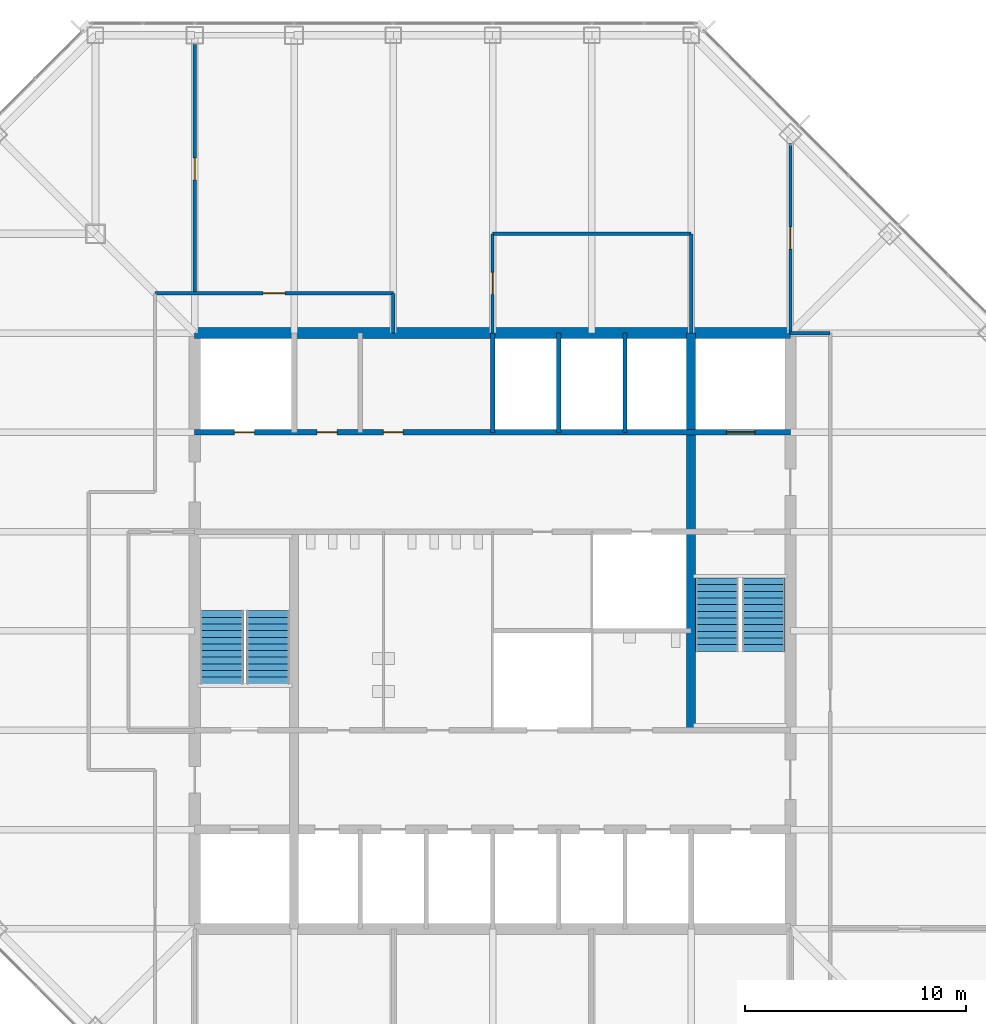
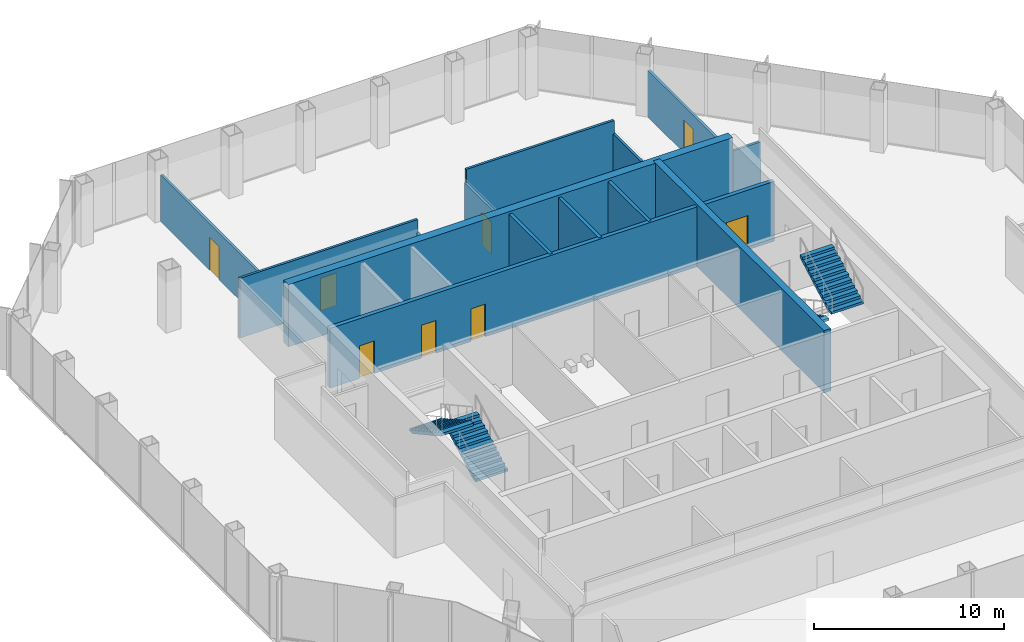
# One storey, part 10 of 12: 14 walls, 8 doors, 4 stair flights, 8 openings, 2 elements without a shape of their own.
"""IFC4 building model written with IfcOpenShell, lengths in metres."""

from ifc_helpers import new_model, si_unit, direction, frame, frame_2d, origin, place, context, subcontext, project, spatial, polyline, rectangle, outline, extrude, material, layer, layer_set, type_object, element, fill, aggregate, save


model = new_model("IFC4")

# Units and contexts
model_context = context("Model", 3, precision=1e-05, world=origin(), true_north=direction((0.0, 1.0)))
body_context = subcontext(model_context, "Body", "Model", "MODEL_VIEW")
ifc_project = project(units=[si_unit("LENGTHUNIT", "METRE"), si_unit("AREAUNIT", "SQUARE_METRE"), si_unit("VOLUMEUNIT", "CUBIC_METRE"), si_unit("PLANEANGLEUNIT", "RADIAN"), si_unit("MASSUNIT", "GRAM", prefix="KILO")], contexts=[model_context])

# Site, building, storey
site_placement = place(None, origin())
site = spatial("IfcSite", under=ifc_project, at=site_placement, CompositionType="ELEMENT")
building_placement = place(site_placement, origin())
building = spatial("IfcBuilding", under=site, at=building_placement, Name="Corais Broadcast Tower", CompositionType="ELEMENT")
storey_placement = place(building_placement, frame((0.0, 0.0, 135.60009765625)))
storey = spatial("IfcBuildingStorey", under=building, at=storey_placement, Name="L30", CompositionType="ELEMENT", Elevation=135.60009765625)

# Walls
ifc_material_1 = material(Name="Concrete C50/60", Category="concrete")
ifc_layer_1 = layer(ifc_material_1, 0.39990234375)
ifc_layer_set_1 = layer_set([ifc_layer_1], Name="Concrete C50/60")
wall_type_1 = type_object("IfcWallType", Name="Core wall 400", PredefinedType="SHEAR", material=ifc_layer_set_1)
wall_1_placement = place(storey_placement, frame((36.0, 22.5, 0.0), z_axis=(0.0, 0.0, 1.0), x_axis=(0.0, 1.0, 0.0)))
element("IfcWall", 1, at=wall_1_placement, inside=storey, type_object=wall_type_1, Name="CR400 core wall X36B L30", PredefinedType="SHEAR", context=body_context, shape_type="SweptSolid", body=[
    extrude(rectangle(XDim=18.0, YDim=0.39990234375, at=frame_2d((9.0, 0.0))), origin(), (0.0, 0.0, 1.0), 4.0),
])
ifc_material_2 = material(Name="Concrete C50/60", Category="concrete")
ifc_layer_2 = layer(ifc_material_2, 0.5)
ifc_layer_set_2 = layer_set([ifc_layer_2], Name="Concrete C50/60")
wall_type_2 = type_object("IfcWallType", Name="Core wall 500", PredefinedType="SHEAR", material=ifc_layer_set_2)
wall_2_placement = place(storey_placement, frame((40.5, 40.5, 0.0), z_axis=(0.0, 0.0, 1.0), x_axis=(-1.0, 0.0, 0.0)))
element("IfcWall", 2, at=wall_2_placement, inside=storey, type_object=wall_type_2, Name="CR500 core wall N L30", PredefinedType="SHEAR", context=body_context, shape_type="SweptSolid", body=[
    extrude(rectangle(XDim=27.0, YDim=0.5, at=frame_2d((13.5, 0.0))), origin(), (0.0, 0.0, 1.0), 4.0),
])

# Wall, openings, doors
ifc_material_3 = material(Name="Concrete blockwork class A, grouted, four-hour", Category="masonry")
ifc_layer_3 = layer(ifc_material_3, 0.25)
ifc_layer_set_3 = layer_set([ifc_layer_3], Name="Concrete blockwork class A, grouted, four-hour")
wall_type_3 = type_object("IfcWallType", Name="Emergency lift shaft wall 250", PredefinedType="SOLIDWALL", material=ifc_layer_set_3)
wall_3_placement = place(storey_placement, frame((13.5, 36.0, 0.0), z_axis=(0.0, 0.0, 1.0), x_axis=(1.0, 0.0, 0.0)))
wall_3 = element("IfcWall", 3, at=wall_3_placement, inside=storey, type_object=wall_type_3, Name="LS2 core lobby wall Y36 L30", PredefinedType="SOLIDWALL", context=body_context, shape_type="SweptSolid", body=[
    extrude(rectangle(XDim=27.0, YDim=0.25, at=frame_2d((13.5, 0.0))), origin(), (0.0, 0.0, 1.0), 3.83984375),
])
opening_1_placement = place(wall_3_placement, frame((1.800048828125, 0.0, 0.0)))
opening_1 = element("IfcOpeningElement", 4, at=opening_1_placement, cuts=wall_3, Name="Opening RD1", PredefinedType="OPENING", context=body_context, shape_type="SweptSolid", body=[
    extrude(rectangle(XDim=0.89990234375, YDim=2.10009765625, at=frame_2d((0.449951171875, 1.050048828125))), frame((0.0, 0.135009765625, 0.0), z_axis=(0.0, -1.0, 0.0), x_axis=(1.0, 0.0, 0.0)), (0.0, 0.0, 1.0), 0.27001953125),
])
opening_2_placement = place(wall_3_placement, frame((5.550048828125, 0.0, 0.0)))
opening_2 = element("IfcOpeningElement", 5, at=opening_2_placement, cuts=wall_3, Name="Opening RD1", PredefinedType="OPENING", context=body_context, shape_type="SweptSolid", body=[
    extrude(rectangle(XDim=0.89990234375, YDim=2.10009765625, at=frame_2d((0.449951171875, 1.050048828125))), frame((0.0, 0.135009765625, 0.0), z_axis=(0.0, -1.0, 0.0), x_axis=(1.0, 0.0, 0.0)), (0.0, 0.0, 1.0), 0.27001953125),
])
opening_3_placement = place(wall_3_placement, frame((8.550048828125, 0.0, 0.0)))
opening_3 = element("IfcOpeningElement", 6, at=opening_3_placement, cuts=wall_3, Name="Opening RD1", PredefinedType="OPENING", context=body_context, shape_type="SweptSolid", body=[
    extrude(rectangle(XDim=0.89990234375, YDim=2.10009765625, at=frame_2d((0.449951171875, 1.050048828125))), frame((0.0, 0.135009765625, 0.0), z_axis=(0.0, -1.0, 0.0), x_axis=(1.0, 0.0, 0.0)), (0.0, 0.0, 1.0), 0.27001953125),
])
opening_4_placement = place(wall_3_placement, frame((24.10009765625, 0.0, 0.0)))
opening_4 = element("IfcOpeningElement", 7, at=opening_4_placement, cuts=wall_3, Name="Opening LD2", PredefinedType="OPENING", context=body_context, shape_type="SweptSolid", body=[
    extrude(rectangle(XDim=1.300048828125, YDim=2.199951171875, at=frame_2d((0.64990234375, 1.10009765625))), frame((0.0, 0.135009765625, 0.0), z_axis=(0.0, -1.0, 0.0), x_axis=(1.0, 0.0, 0.0)), (0.0, 0.0, 1.0), 0.27001953125),
])
ifc_material_4 = material(Name="Stainless steel lift door", Category="steel")
door_type_1 = type_object("IfcDoorType", Name="Lift landing door 1300x2200", OperationType="SLIDING_TO_LEFT", PredefinedType="DOOR", material=ifc_material_4)
door_1_placement = place(opening_4_placement, origin())
door_1 = element("IfcDoor", 8, at=door_1_placement, inside=storey, type_object=door_type_1, Name="LD2 FL2 landing door L30", OperationType="SLIDING_TO_LEFT", OverallHeight=2.199951171875, OverallWidth=1.300048828125, PredefinedType="DOOR", context=body_context, shape_type="SweptSolid", body=[
    extrude(rectangle(XDim=1.300048828125, YDim=2.199951171875, at=frame_2d((0.64990234375, 1.10009765625))), frame((0.0, 0.02490234375, 0.0), z_axis=(0.0, -1.0, 0.0), x_axis=(1.0, 0.0, 0.0)), (0.0, 0.0, 1.0), 0.050048828125),
])
fill(opening_4, door_1)
ifc_material_5 = material(Name="Steel fire door", Category="steel")
door_type_2 = type_object("IfcDoorType", Name="Riser door 900x2100", OperationType="SINGLE_SWING_LEFT", PredefinedType="DOOR", material=ifc_material_5)
door_2_placement = place(opening_1_placement, origin())
door_2 = element("IfcDoor", 9, at=door_2_placement, inside=storey, type_object=door_type_2, Name="RD1 riser door L30", OperationType="SINGLE_SWING_LEFT", OverallHeight=2.10009765625, OverallWidth=0.89990234375, PredefinedType="DOOR", context=body_context, shape_type="SweptSolid", body=[
    extrude(rectangle(XDim=0.89990234375, YDim=2.10009765625, at=frame_2d((0.449951171875, 1.050048828125))), frame((0.0, 0.02490234375, 0.0), z_axis=(0.0, -1.0, 0.0), x_axis=(1.0, 0.0, 0.0)), (0.0, 0.0, 1.0), 0.050048828125),
])
fill(opening_1, door_2)
door_3_placement = place(opening_2_placement, origin())
door_3 = element("IfcDoor", 10, at=door_3_placement, inside=storey, type_object=door_type_2, Name="RD1 media store door L30", OperationType="SINGLE_SWING_LEFT", OverallHeight=2.10009765625, OverallWidth=0.89990234375, PredefinedType="DOOR", context=body_context, shape_type="SweptSolid", body=[
    extrude(rectangle(XDim=0.89990234375, YDim=2.10009765625, at=frame_2d((0.449951171875, 1.050048828125))), frame((0.0, 0.02490234375, 0.0), z_axis=(0.0, -1.0, 0.0), x_axis=(1.0, 0.0, 0.0)), (0.0, 0.0, 1.0), 0.050048828125),
])
fill(opening_2, door_3)
door_4_placement = place(opening_3_placement, origin())
door_4 = element("IfcDoor", 11, at=door_4_placement, inside=storey, type_object=door_type_2, Name="RD1 tea point door L30", OperationType="SINGLE_SWING_LEFT", OverallHeight=2.10009765625, OverallWidth=0.89990234375, PredefinedType="DOOR", context=body_context, shape_type="SweptSolid", body=[
    extrude(rectangle(XDim=0.89990234375, YDim=2.10009765625, at=frame_2d((0.449951171875, 1.050048828125))), frame((0.0, 0.02490234375, 0.0), z_axis=(0.0, -1.0, 0.0), x_axis=(1.0, 0.0, 0.0)), (0.0, 0.0, 1.0), 0.050048828125),
])
fill(opening_3, door_4)

# Wall, opening, door
ifc_material_6 = material(Name="Gypsum board on steel studs", Category="steel")
ifc_layer_4 = layer(ifc_material_6, 0.14990234375)
ifc_layer_set_4 = layer_set([ifc_layer_4], Name="Gypsum board on steel studs")
wall_type_4 = type_object("IfcWallType", Name="Partition 150", PredefinedType="PARTITIONING", material=ifc_layer_set_4)
wall_4_placement = place(storey_placement, frame((22.5, 42.300048828125, 0.0), z_axis=(0.0, 0.0, 1.0), x_axis=(-1.0, 0.0, 0.0)))
wall_4 = element("IfcWall", 12, at=wall_4_placement, inside=storey, type_object=wall_type_4, Name="IW3 corridor wall L30", PredefinedType="PARTITIONING", context=body_context, shape_type="SweptSolid", body=[
    extrude(rectangle(XDim=10.800048828125, YDim=0.14990234375, at=frame_2d((5.39990234375, 0.0))), origin(), (0.0, 0.0, 1.0), 3.83984375),
])
opening_5_placement = place(wall_4_placement, frame((4.89990234375, 0.0, 0.0)))
opening_5 = element("IfcOpeningElement", 13, at=opening_5_placement, cuts=wall_4, Name="Opening D1", PredefinedType="OPENING", context=body_context, shape_type="SweptSolid", body=[
    extrude(rectangle(XDim=1.0, YDim=2.10009765625, at=frame_2d((0.5, 1.050048828125))), frame((0.0, 0.0849609375, 0.0), z_axis=(0.0, -1.0, 0.0), x_axis=(1.0, 0.0, 0.0)), (0.0, 0.0, 1.0), 0.169921875),
])
ifc_material_7 = material(Name="Timber door", Category="wood")
door_type_3 = type_object("IfcDoorType", Name="Single door 1000x2100", OperationType="SINGLE_SWING_LEFT", PredefinedType="DOOR", material=ifc_material_7)
door_5_placement = place(opening_5_placement, origin())
door_5 = element("IfcDoor", 14, at=door_5_placement, inside=storey, type_object=door_type_3, Name="D1 workplace door L30", OperationType="SINGLE_SWING_LEFT", OverallHeight=2.10009765625, OverallWidth=1.0, PredefinedType="DOOR", context=body_context, shape_type="SweptSolid", body=[
    extrude(rectangle(XDim=1.0, YDim=2.10009765625, at=frame_2d((0.5, 1.050048828125))), frame((0.0, 0.02490234375, 0.0), z_axis=(0.0, -1.0, 0.0), x_axis=(1.0, 0.0, 0.0)), (0.0, 0.0, 1.0), 0.050048828125),
])
fill(opening_5, door_5)

# Walls
wall_5_placement = place(storey_placement, frame((42.300048828125, 40.5, 0.0), z_axis=(0.0, 0.0, 1.0), x_axis=(-1.0, 0.0, 0.0)))
element("IfcWall", 15, at=wall_5_placement, inside=storey, type_object=wall_type_4, Name="IW3 corridor wall L30", PredefinedType="PARTITIONING", context=body_context, shape_type="SweptSolid", body=[
    extrude(rectangle(XDim=1.81005859375, YDim=0.14990234375, at=frame_2d((0.905029296875, 0.0))), origin(), (0.0, 0.0, 1.0), 2.989013671875),
])
wall_6_placement = place(storey_placement, frame((22.5, 40.5, 0.0), z_axis=(0.0, 0.0, 1.0), x_axis=(0.0, 1.0, 0.0)))
element("IfcWall", 16, at=wall_6_placement, inside=storey, type_object=wall_type_4, Name="IW3 corridor wall L30", PredefinedType="PARTITIONING", context=body_context, shape_type="SweptSolid", body=[
    extrude(rectangle(XDim=1.800048828125, YDim=0.14990234375, at=frame_2d((0.89990234375, 0.0))), origin(), (0.0, 0.0, 1.0), 2.989013671875),
])
wall_7_placement = place(storey_placement, frame((36.0, 40.5, 0.0), z_axis=(0.0, 0.0, 1.0), x_axis=(0.0, 1.0, 0.0)))
element("IfcWall", 17, at=wall_7_placement, inside=storey, type_object=wall_type_4, Name="IW3 partition L30", PredefinedType="PARTITIONING", context=body_context, shape_type="SweptSolid", body=[
    extrude(rectangle(XDim=4.5, YDim=0.14990234375, at=frame_2d((2.25, 0.0))), origin(), (0.0, 0.0, 1.0), 2.989013671875),
])
wall_8_placement = place(storey_placement, frame((36.0, 45.0, 0.0), z_axis=(0.0, 0.0, 1.0), x_axis=(-1.0, 0.0, 0.0)))
element("IfcWall", 18, at=wall_8_placement, inside=storey, type_object=wall_type_4, Name="IW3 partition L30", PredefinedType="PARTITIONING", context=body_context, shape_type="SweptSolid", body=[
    extrude(rectangle(XDim=9.0, YDim=0.14990234375, at=frame_2d((4.5, 0.0))), origin(), (0.0, 0.0, 1.0), 3.83984375),
])

# Wall, opening, door
wall_9_placement = place(storey_placement, frame((27.0, 45.0, 0.0), z_axis=(0.0, 0.0, 1.0), x_axis=(0.0, -1.0, 0.0)))
wall_9 = element("IfcWall", 19, at=wall_9_placement, inside=storey, type_object=wall_type_4, Name="IW3 partition L30", PredefinedType="PARTITIONING", context=body_context, shape_type="SweptSolid", body=[
    extrude(rectangle(XDim=4.5, YDim=0.14990234375, at=frame_2d((2.25, 0.0))), origin(), (0.0, 0.0, 1.0), 2.989013671875),
])
opening_6_placement = place(wall_9_placement, frame((1.75, 0.0, 0.0)))
opening_6 = element("IfcOpeningElement", 20, at=opening_6_placement, cuts=wall_9, Name="Opening D1", PredefinedType="OPENING", context=body_context, shape_type="SweptSolid", body=[
    extrude(rectangle(XDim=1.0, YDim=2.10009765625, at=frame_2d((0.5, 1.050048828125))), frame((0.0, 0.0849609375, 0.0), z_axis=(0.0, -1.0, 0.0), x_axis=(1.0, 0.0, 0.0)), (0.0, 0.0, 1.0), 0.169921875),
])
door_6_placement = place(opening_6_placement, origin())
door_6 = element("IfcDoor", 21, at=door_6_placement, inside=storey, type_object=door_type_3, Name="D1 Meeting room door", OperationType="SINGLE_SWING_LEFT", OverallHeight=2.10009765625, OverallWidth=1.0, PredefinedType="DOOR", context=body_context, shape_type="SweptSolid", body=[
    extrude(rectangle(XDim=1.0, YDim=2.10009765625, at=frame_2d((0.5, 1.050048828125))), frame((0.0, 0.02490234375, 0.0), z_axis=(0.0, -1.0, 0.0), x_axis=(1.0, 0.0, 0.0)), (0.0, 0.0, 1.0), 0.050048828125),
])
fill(opening_6, door_6)

wall_10_placement = place(storey_placement, frame((40.5, 49.10498046875, 0.0), z_axis=(0.0, 0.0, 1.0), x_axis=(0.0, -1.0, 0.0)))
wall_10 = element("IfcWall", 22, at=wall_10_placement, inside=storey, type_object=wall_type_4, Name="IW3 partition L30", PredefinedType="PARTITIONING", context=body_context, shape_type="SweptSolid", body=[
    extrude(rectangle(XDim=8.60498046875, YDim=0.14990234375, at=frame_2d((4.302490234375, 0.0))), origin(), (0.0, 0.0, 1.0), 2.989013671875),
])
opening_7_placement = place(wall_10_placement, frame((3.802490234375, 0.0, 0.0)))
opening_7 = element("IfcOpeningElement", 23, at=opening_7_placement, cuts=wall_10, Name="Opening D1", PredefinedType="OPENING", context=body_context, shape_type="SweptSolid", body=[
    extrude(rectangle(XDim=1.0, YDim=2.10009765625, at=frame_2d((0.5, 1.050048828125))), frame((0.0, 0.0849609375, 0.0), z_axis=(0.0, -1.0, 0.0), x_axis=(1.0, 0.0, 0.0)), (0.0, 0.0, 1.0), 0.169921875),
])
door_7_placement = place(opening_7_placement, origin())
door_7 = element("IfcDoor", 24, at=door_7_placement, inside=storey, type_object=door_type_3, Name="D1 team room door L30", OperationType="SINGLE_SWING_LEFT", OverallHeight=2.10009765625, OverallWidth=1.0, PredefinedType="DOOR", context=body_context, shape_type="SweptSolid", body=[
    extrude(rectangle(XDim=1.0, YDim=2.10009765625, at=frame_2d((0.5, 1.050048828125))), frame((0.0, 0.02490234375, 0.0), z_axis=(0.0, -1.0, 0.0), x_axis=(1.0, 0.0, 0.0)), (0.0, 0.0, 1.0), 0.050048828125),
])
fill(opening_7, door_7)

wall_11_placement = place(storey_placement, frame((13.5, 42.300048828125, 0.0), z_axis=(0.0, 0.0, 1.0), x_axis=(0.0, 1.0, 0.0)))
wall_11 = element("IfcWall", 25, at=wall_11_placement, inside=storey, type_object=wall_type_4, Name="IW3 partition L30", PredefinedType="PARTITIONING", context=body_context, shape_type="SweptSolid", body=[
    extrude(rectangle(XDim=11.280029296875, YDim=0.14990234375, at=frame_2d((5.64013671875, 0.0))), origin(), (0.0, 0.0, 1.0), 2.989013671875),
])
opening_8_placement = place(wall_11_placement, frame((5.139892578125, 0.0, 0.0)))
opening_8 = element("IfcOpeningElement", 26, at=opening_8_placement, cuts=wall_11, Name="Opening D1", PredefinedType="OPENING", context=body_context, shape_type="SweptSolid", body=[
    extrude(rectangle(XDim=1.0, YDim=2.10009765625, at=frame_2d((0.5, 1.050048828125))), frame((0.0, 0.0849609375, 0.0), z_axis=(0.0, -1.0, 0.0), x_axis=(1.0, 0.0, 0.0)), (0.0, 0.0, 1.0), 0.169921875),
])
door_8_placement = place(opening_8_placement, origin())
door_8 = element("IfcDoor", 27, at=door_8_placement, inside=storey, type_object=door_type_3, Name="D1 team room door L30", OperationType="SINGLE_SWING_LEFT", OverallHeight=2.10009765625, OverallWidth=1.0, PredefinedType="DOOR", context=body_context, shape_type="SweptSolid", body=[
    extrude(rectangle(XDim=1.0, YDim=2.10009765625, at=frame_2d((0.5, 1.050048828125))), frame((0.0, 0.02490234375, 0.0), z_axis=(0.0, -1.0, 0.0), x_axis=(1.0, 0.0, 0.0)), (0.0, 0.0, 1.0), 0.050048828125),
])
fill(opening_8, door_8)

# Walls
ifc_material_8 = material(Name="Concrete blockwork class A, grouted, two-hour", Category="masonry")
ifc_layer_5 = layer(ifc_material_8, 0.199951171875)
ifc_layer_set_5 = layer_set([ifc_layer_5], Name="Concrete blockwork class A, grouted, two-hour")
wall_type_5 = type_object("IfcWallType", Name="Shaft wall 200", PredefinedType="PARTITIONING", material=ifc_layer_set_5)
for number, where, z_axis, x_axis, name in (
    (28, (27.0, 36.0, 0.0), (0.0, 0.0, 1.0), (0.0, 1.0, 0.0), "IW1 shaft wall L30"),
    (29, (30.0, 36.0, 0.0), (0.0, 0.0, 1.0), (0.0, 1.0, 0.0), "IW1 shaft wall L30"),
    (30, (33.0, 36.0, 0.0), (0.0, 0.0, 1.0), (0.0, 1.0, 0.0), "IW1 shaft wall L30"),
):
    element("IfcWall", number, at=place(storey_placement, frame(where, z_axis=z_axis, x_axis=x_axis)), inside=storey, type_object=wall_type_5, Name=name, PredefinedType="PARTITIONING", context=body_context, shape_type="SweptSolid", body=[
        extrude(rectangle(XDim=4.5, YDim=0.199951171875, at=frame_2d((2.25, 0.0))), origin(), (0.0, 0.0, 1.0), 3.83984375),
    ])

# Stair, stair flights
ifc_material_9 = material(Name="Concrete C30/37", Category="concrete")
stair_type = type_object("IfcStairType", Name="Half-turn stair 4000", PredefinedType="HALF_TURN_STAIR", material=ifc_material_9)
stair_1_placement = place(storey_placement, origin())
stair_1 = element("IfcStair", 31, at=stair_1_placement, inside=storey, type_object=stair_type, Name="Stair A L30", PredefinedType="HALF_TURN_STAIR")
ifc_material_10 = material(Name="Concrete C30/37", Category="concrete")
stair_flight_type = type_object("IfcStairFlightType", Name="Stair flight 4000", PredefinedType="STRAIGHT", material=ifc_material_10)
stair_flight_1_placement = place(storey_placement, frame((16.824951171875, 24.60009765625, 0.0), z_axis=(0.0, 0.0, 1.0), x_axis=(0.0, 1.0, 0.0)))
stair_flight_1 = element("IfcStairFlight", 32, at=stair_flight_1_placement, type_object=stair_flight_type, Name="STA flight 1", NumberOfRisers=12, NumberOfTreads=11, PredefinedType="STRAIGHT", RiserHeight=0.166666667, TreadLength=0.302, context=body_context, shape_type="SweptSolid", body=[
    extrude(outline(polyline([(0.0, 0.0), (0.0, 0.166748046875), (0.302001953125, 0.166748046875), (0.302001953125, 0.333251953125), (0.60400390625, 0.333251953125), (0.60400390625, 0.5), (0.906005859375, 0.5), (0.906005859375, 0.666748046875), (1.2080078125, 0.666748046875), (1.2080078125, 0.833251953125), (1.510009765625, 0.833251953125), (1.510009765625, 1.0), (1.81201171875, 1.0), (1.81201171875, 1.166748046875), (2.114013671875, 1.166748046875), (2.114013671875, 1.333251953125), (2.416015625, 1.333251953125), (2.416015625, 1.5), (2.718017578125, 1.5), (2.718017578125, 1.666748046875), (3.02001953125, 1.666748046875), (3.02001953125, 1.833251953125), (3.322021484375, 1.833251953125), (3.322021484375, 2.0), (3.322021484375, 1.662109375), (0.310302734375, 0.0), (0.0, 0.0)])), frame((0.0, 0.97509765625, 0.0), z_axis=(0.0, -1.0, 0.0), x_axis=(1.0, 0.0, 0.0)), (0.0, 0.0, 1.0), 1.949951171875),
])
stair_flight_2_placement = place(storey_placement, frame((14.72509765625, 27.922119140625, 2.0), z_axis=(0.0, 0.0, 1.0), x_axis=(0.0, -1.0, 0.0)))
stair_flight_2 = element("IfcStairFlight", 33, at=stair_flight_2_placement, type_object=stair_flight_type, Name="STA flight 2", NumberOfRisers=12, NumberOfTreads=11, PredefinedType="STRAIGHT", RiserHeight=0.166666667, TreadLength=0.302, context=body_context, shape_type="SweptSolid", body=[
    extrude(outline(polyline([(0.0, 0.0), (0.0, 0.166748046875), (0.302001953125, 0.166748046875), (0.302001953125, 0.333251953125), (0.60400390625, 0.333251953125), (0.60400390625, 0.5), (0.906005859375, 0.5), (0.906005859375, 0.666748046875), (1.2080078125, 0.666748046875), (1.2080078125, 0.833251953125), (1.510009765625, 0.833251953125), (1.510009765625, 1.0), (1.81201171875, 1.0), (1.81201171875, 1.166748046875), (2.114013671875, 1.166748046875), (2.114013671875, 1.333251953125), (2.416015625, 1.333251953125), (2.416015625, 1.5), (2.718017578125, 1.5), (2.718017578125, 1.666748046875), (3.02001953125, 1.666748046875), (3.02001953125, 1.833251953125), (3.322021484375, 1.833251953125), (3.322021484375, 2.0), (3.322021484375, 1.662109375), (0.310302734375, 0.0), (0.0, 0.0)])), frame((0.0, 0.97509765625, 0.0), z_axis=(0.0, -1.0, 0.0), x_axis=(1.0, 0.0, 0.0)), (0.0, 0.0, 1.0), 1.949951171875),
])
aggregate(stair_1, [stair_flight_1, stair_flight_2])

stair_2_placement = place(storey_placement, origin())
stair_2 = element("IfcStair", 34, at=stair_2_placement, inside=storey, type_object=stair_type, Name="Stair B L30", PredefinedType="HALF_TURN_STAIR")
stair_flight_3_placement = place(storey_placement, frame((37.175048828125, 29.39990234375, 0.0), z_axis=(0.0, 0.0, 1.0), x_axis=(0.0, -1.0, 0.0)))
stair_flight_3 = element("IfcStairFlight", 35, at=stair_flight_3_placement, type_object=stair_flight_type, Name="STB flight 1", NumberOfRisers=12, NumberOfTreads=11, PredefinedType="STRAIGHT", RiserHeight=0.166666667, TreadLength=0.302, context=body_context, shape_type="SweptSolid", body=[
    extrude(outline(polyline([(0.0, 0.0), (0.0, 0.166748046875), (0.302001953125, 0.166748046875), (0.302001953125, 0.333251953125), (0.60400390625, 0.333251953125), (0.60400390625, 0.5), (0.906005859375, 0.5), (0.906005859375, 0.666748046875), (1.2080078125, 0.666748046875), (1.2080078125, 0.833251953125), (1.510009765625, 0.833251953125), (1.510009765625, 1.0), (1.81201171875, 1.0), (1.81201171875, 1.166748046875), (2.114013671875, 1.166748046875), (2.114013671875, 1.333251953125), (2.416015625, 1.333251953125), (2.416015625, 1.5), (2.718017578125, 1.5), (2.718017578125, 1.666748046875), (3.02001953125, 1.666748046875), (3.02001953125, 1.833251953125), (3.322021484375, 1.833251953125), (3.322021484375, 2.0), (3.322021484375, 1.662109375), (0.310302734375, 0.0), (0.0, 0.0)])), frame((0.0, 0.97509765625, 0.0), z_axis=(0.0, -1.0, 0.0), x_axis=(1.0, 0.0, 0.0)), (0.0, 0.0, 1.0), 1.949951171875),
])
stair_flight_4_placement = place(storey_placement, frame((39.27490234375, 26.077880859375, 2.0), z_axis=(0.0, 0.0, 1.0), x_axis=(0.0, 1.0, 0.0)))
stair_flight_4 = element("IfcStairFlight", 36, at=stair_flight_4_placement, type_object=stair_flight_type, Name="STB flight 2", NumberOfRisers=12, NumberOfTreads=11, PredefinedType="STRAIGHT", RiserHeight=0.166666667, TreadLength=0.302, context=body_context, shape_type="SweptSolid", body=[
    extrude(outline(polyline([(0.0, 0.0), (0.0, 0.166748046875), (0.302001953125, 0.166748046875), (0.302001953125, 0.333251953125), (0.60400390625, 0.333251953125), (0.60400390625, 0.5), (0.906005859375, 0.5), (0.906005859375, 0.666748046875), (1.2080078125, 0.666748046875), (1.2080078125, 0.833251953125), (1.510009765625, 0.833251953125), (1.510009765625, 1.0), (1.81201171875, 1.0), (1.81201171875, 1.166748046875), (2.114013671875, 1.166748046875), (2.114013671875, 1.333251953125), (2.416015625, 1.333251953125), (2.416015625, 1.5), (2.718017578125, 1.5), (2.718017578125, 1.666748046875), (3.02001953125, 1.666748046875), (3.02001953125, 1.833251953125), (3.322021484375, 1.833251953125), (3.322021484375, 2.0), (3.322021484375, 1.662109375), (0.310302734375, 0.0), (0.0, 0.0)])), frame((0.0, 0.97509765625, 0.0), z_axis=(0.0, -1.0, 0.0), x_axis=(1.0, 0.0, 0.0)), (0.0, 0.0, 1.0), 1.949951171875),
])
aggregate(stair_2, [stair_flight_3, stair_flight_4])

save(model, "model.ifc")
